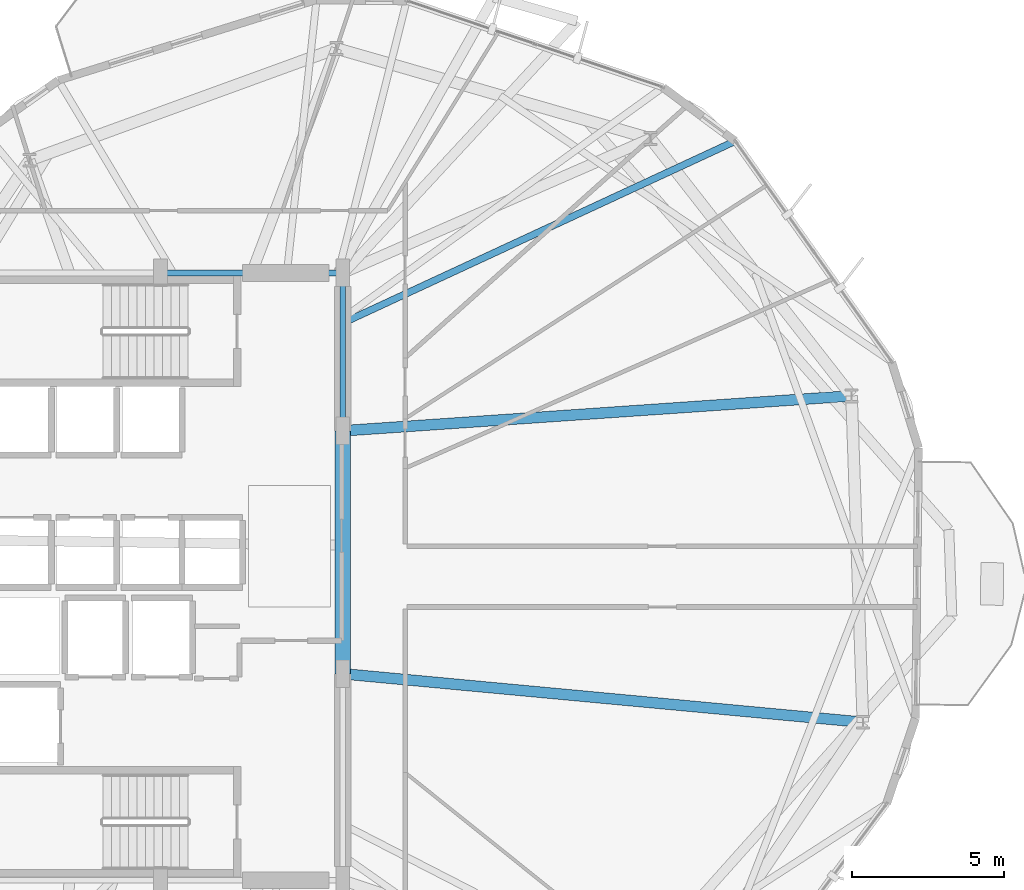
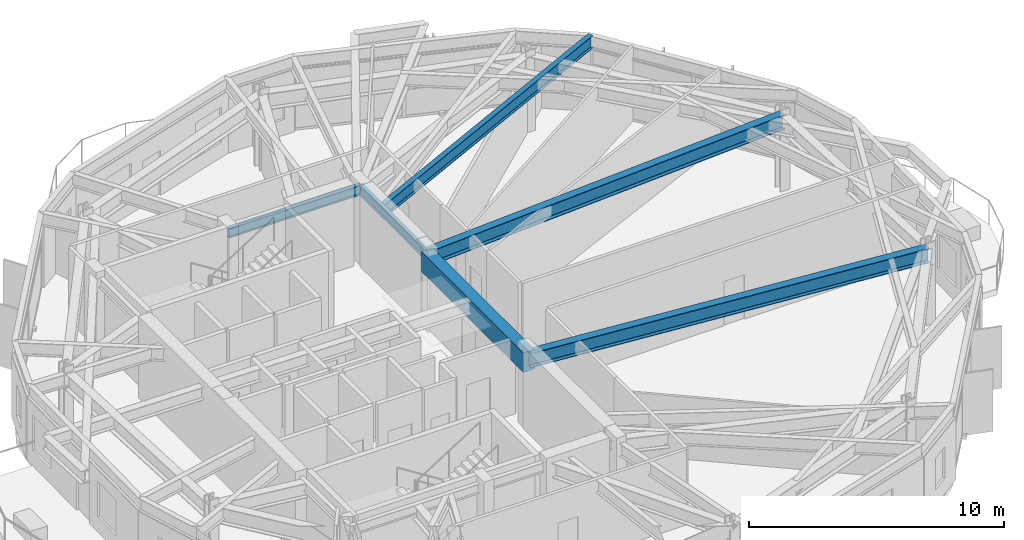
# One storey, part 10 of 27: 6 beams.
"""IFC4 building model written with IfcOpenShell, lengths in metres."""

import ifcopenshell
import ifcopenshell.guid

model = None  # the IFC model being written
_history = None  # IfcOwnerHistory: only IFC2X3 demands one
_inside = {}  # id of a spatial element -> (the spatial element, [elements in it])
_under = {}  # id of a project, library or spatial element -> (it, [spatial elements below it])
_declared = {}  # id of a project -> (the project, [libraries it declares])
_typed = {}  # id of a type object -> (the type object, [elements of that type])
_made_of = {}  # id of a material, layer set ... -> (it, [elements and type objects made of it])


def new_model(schema):
    """Start an empty IFC model of exactly this schema.

    Asked for "IFC4X3", IfcOpenShell would pick the latest addendum, in which some entities
    have other attributes; the version numbers below select the first issue.
    IFC2X3 requires an IfcOwnerHistory on every rooted entity: one is made here for all.
    """
    global model, _history
    if schema == "IFC4X3":
        model = ifcopenshell.file(schema_version=(4, 3, 0, 0))
    else:
        model = ifcopenshell.file(schema=schema)
    _inside.clear()
    _under.clear()
    _declared.clear()
    _typed.clear()
    _made_of.clear()
    _history = None
    if model.schema == "IFC2X3":
        org = make("IfcOrganization", Name="unknown")
        user = make(
            "IfcPersonAndOrganization",
            ThePerson=make("IfcPerson", FamilyName="unknown"),
            TheOrganization=org,
        )
        app = make(
            "IfcApplication",
            ApplicationDeveloper=org,
            Version="unknown",
            ApplicationFullName="unknown",
            ApplicationIdentifier="unknown",
        )
        _history = make(
            "IfcOwnerHistory",
            OwningUser=user,
            OwningApplication=app,
            ChangeAction="ADDED",
            CreationDate=0,
        )
    return model


def make(cls, **values):
    """One entity of the class cls with the attributes given. An attribute that is None is left unset."""
    return model.create_entity(
        cls, **{name: value for name, value in values.items() if value is not None}
    )


def rooted(cls, **values):
    """An entity with a GlobalId (a new one), such as an element, a storey or a relation."""
    return make(cls, GlobalId=ifcopenshell.guid.new(), OwnerHistory=_history, **values)


def si_unit(unit_type, name, prefix=None):
    """IfcSIUnit, for example si_unit("LENGTHUNIT", "METRE", prefix="MILLI")."""
    return make("IfcSIUnit", UnitType=unit_type, Prefix=prefix, Name=name)


def assignment(units):
    """IfcUnitAssignment: the units of a project."""
    return None if units is None else make("IfcUnitAssignment", Units=units)


def point(xyz):
    """IfcCartesianPoint."""
    return None if xyz is None else make("IfcCartesianPoint", Coordinates=xyz)


def direction(xyz):
    """IfcDirection."""
    return None if xyz is None else make("IfcDirection", DirectionRatios=xyz)


def frame(location, z_axis=None, x_axis=None):
    """IfcAxis2Placement3D, a coordinate frame: its origin and axes. An axis left out is left unset."""
    return make(
        "IfcAxis2Placement3D",
        Location=point(location),
        Axis=direction(z_axis),
        RefDirection=direction(x_axis),
    )


def frame_2d(location, x_axis=None):
    """IfcAxis2Placement2D, a coordinate frame in the plane: its origin and x axis."""
    return make(
        "IfcAxis2Placement2D", Location=point(location), RefDirection=direction(x_axis)
    )


def origin():
    """The frame at (0, 0, 0) with its axes left unset."""
    return frame((0.0, 0.0, 0.0))


def origin_2d():
    """The frame at (0, 0) in the plane with its x axis left unset."""
    return frame_2d((0.0, 0.0))


def place(relative_to, where):
    """IfcLocalPlacement: puts the frame where relative to a parent placement (None: the world)."""
    return make(
        "IfcLocalPlacement", PlacementRelTo=relative_to, RelativePlacement=where
    )


def context(
    kind, dimensions, precision=None, world=None, true_north=None, identifier=None
):
    """IfcGeometricRepresentationContext, for example the 3D "Model" context."""
    return make(
        "IfcGeometricRepresentationContext",
        ContextIdentifier=identifier,
        ContextType=kind,
        CoordinateSpaceDimension=dimensions,
        Precision=precision,
        WorldCoordinateSystem=world,
        TrueNorth=true_north,
    )


def subcontext(parent, identifier, kind, view, scale=None):
    """IfcGeometricRepresentationSubContext, for example "Body" below "Model"."""
    return make(
        "IfcGeometricRepresentationSubContext",
        ContextIdentifier=identifier,
        ContextType=kind,
        ParentContext=parent,
        TargetScale=scale,
        TargetView=view,
    )


def project(units=None, contexts=None):
    """IfcProject with its units and contexts."""
    return rooted(
        "IfcProject",
        Name="project",
        RepresentationContexts=contexts,
        UnitsInContext=assignment(units),
    )


def spatial(cls, under=None, at=None, **own):
    """A site, building, storey or space (cls), placed at a placement, below another one or the project."""
    s = rooted(cls, ObjectPlacement=at, **own)
    if under is not None:
        _under.setdefault(under.id(), (under, []))[1].append(s)
    return s


def profile(cls, at=None, kind="AREA", **sizes):
    """A parametric profile (cls). Its sizes go by their IFC names, for example OverallWidth=200.0."""
    return make(cls, ProfileType=kind, Position=at, **sizes)


def rectangle(**sizes):
    """IfcRectangleProfileDef."""
    return profile("IfcRectangleProfileDef", **sizes)


def i_section(**sizes):
    """IfcIShapeProfileDef."""
    return profile("IfcIShapeProfileDef", **sizes)


def extrude(swept, where, along, depth):
    """IfcExtrudedAreaSolid: the profile swept, set in the frame where, extruded along a direction by depth."""
    return make(
        "IfcExtrudedAreaSolid",
        SweptArea=swept,
        Position=where,
        ExtrudedDirection=direction(along),
        Depth=depth,
    )


def shape(context_of_items, identifier, shape_type, items):
    """IfcShapeRepresentation: the items that make up one representation, for example the "Body"."""
    return make(
        "IfcShapeRepresentation",
        ContextOfItems=context_of_items,
        RepresentationIdentifier=identifier,
        RepresentationType=shape_type,
        Items=items,
    )


def material(Name=None, Category=None):
    """IfcMaterial."""
    return make("IfcMaterial", Name=Name, Category=Category)


def material_profile(
    of_material, cross_section, Name=None, Category=None, Priority=None
):
    """IfcMaterialProfile: a cross section and its material."""
    return make(
        "IfcMaterialProfile",
        Name=Name,
        Material=of_material,
        Profile=cross_section,
        Priority=Priority,
        Category=Category,
    )


def profile_set(profiles, Name=None, composite=None):
    """IfcMaterialProfileSet."""
    return make(
        "IfcMaterialProfileSet",
        Name=Name,
        MaterialProfiles=profiles,
        CompositeProfile=composite,
    )


def made_of(thing, what):
    """Note that an element or type object is made of a material, layer set ...; save() writes the relation."""
    if what is not None:
        _made_of.setdefault(what.id(), (what, []))[1].append(thing)
    return thing


def type_object(cls, material=None, **own):
    """A type object (cls), such as IfcWallType, which elements share."""
    return made_of(rooted(cls, **own), material)


def element(
    cls,
    number,
    at=None,
    inside=None,
    cuts=None,
    type_object=None,
    material=None,
    context=None,
    identifier="Body",
    shape_type=None,
    held_by="IfcProductDefinitionShape",
    body=None,
    shapes=None,
    **own,
):
    """One element of the class cls, such as IfcWall. Its Tag is "e" and its number.

    at: its placement. inside: the storey or other place that contains it. cuts: it is an
    opening in that element (IfcRelVoidsElement). A single representation is given by context,
    identifier, shape_type and body (its items); several are given by shapes. held_by: the class
    of the entity that holds the representations. save() writes the other relations.
    """
    e = rooted(cls, Tag="e%d" % number, ObjectPlacement=at, **own)
    if body is not None:
        shapes = [shape(context, identifier, shape_type, body)]
    if shapes is not None:
        e.Representation = make(held_by, Representations=shapes)
    if inside is not None:
        _inside.setdefault(inside.id(), (inside, []))[1].append(e)
    if cuts is not None:
        rooted(
            "IfcRelVoidsElement", RelatingBuildingElement=cuts, RelatedOpeningElement=e
        )
    if type_object is not None:
        _typed.setdefault(type_object.id(), (type_object, []))[1].append(e)
    return made_of(e, material)


def aggregate(whole, parts):
    """IfcRelAggregates: a whole, such as a stair, and the parts it consists of."""
    return rooted("IfcRelAggregates", RelatingObject=whole, RelatedObjects=parts)


def save(model, path):
    """Write the relations noted so far, then the file.

    IfcRelAggregates (storeys below a building ...), IfcRelContainedInSpatialStructure (elements
    in a storey), IfcRelDefinesByType, IfcRelAssociatesMaterial and IfcRelDeclares: one each for
    every whole, place, type object, material and project.
    """
    for whole, parts in _under.values():
        aggregate(whole, parts)
    for where, things in _inside.values():
        rooted(
            "IfcRelContainedInSpatialStructure",
            RelatedElements=things,
            RelatingStructure=where,
        )
    for kind, things in _typed.values():
        rooted("IfcRelDefinesByType", RelatedObjects=things, RelatingType=kind)
    for what, things in _made_of.values():
        rooted("IfcRelAssociatesMaterial", RelatedObjects=things, RelatingMaterial=what)
    for by, libraries in _declared.values():
        rooted("IfcRelDeclares", RelatingContext=by, RelatedDefinitions=libraries)
    model.write(path)


model = new_model("IFC4")

# Units and contexts
model_context = context("Model", 3, precision=1e-05, world=origin(), true_north=direction((0.0, 1.0)))
body_context = subcontext(model_context, "Body", "Model", "MODEL_VIEW")
ifc_project = project(units=[si_unit("LENGTHUNIT", "METRE"), si_unit("AREAUNIT", "SQUARE_METRE"), si_unit("VOLUMEUNIT", "CUBIC_METRE"), si_unit("PLANEANGLEUNIT", "RADIAN"), si_unit("MASSUNIT", "GRAM", prefix="KILO")], contexts=[model_context])

# Site, building, storey
site_placement = place(None, origin())
site = spatial("IfcSite", under=ifc_project, at=site_placement, CompositionType="ELEMENT")
building_placement = place(site_placement, origin())
building = spatial("IfcBuilding", under=site, at=building_placement, Name="Soratama Intermodal Tower", CompositionType="ELEMENT")
storey_placement = place(building_placement, frame((0.0, 0.0, 95.199951171875)))
storey = spatial("IfcBuildingStorey", under=building, at=storey_placement, Name="L22", CompositionType="ELEMENT", Elevation=95.199951171875)

# Beams
ifc_material_1 = material(Name="Concrete f'c 56 MPa", Category="concrete")
ifc_material_profile_1 = material_profile(ifc_material_1, rectangle(XDim=0.5, YDim=0.949951171875, at=origin_2d()), Name="RC500X950")
ifc_profile_set_1 = profile_set([ifc_material_profile_1], Name="Concrete f'c 56 MPa")
beam_type_1 = type_object("IfcBeamType", Name="BM-CPL-RC500X950", PredefinedType="BEAM", material=ifc_profile_set_1)
beam_1_placement = place(storey_placement, frame((44.60009765625, 21.800048828125, 3.125), z_axis=(0.0, 1.0, 0.0), x_axis=(-1.0, 0.0, 0.0)))
element("IfcBeam", 1, at=beam_1_placement, inside=storey, type_object=beam_type_1, Name="L22 Core Coupling Beam East", PredefinedType="BEAM", context=body_context, shape_type="SweptSolid", body=[
    extrude(rectangle(XDim=0.5, YDim=0.949951171875, at=origin_2d()), origin(), (0.0, 0.0, 1.0), 8.0),
])
ifc_material_2 = material(Name="Structural steel ASTM A992 Grade 50", Category="steel")
ifc_material_profile_2 = material_profile(ifc_material_2, i_section(OverallWidth=0.19091796875, OverallDepth=0.4599609375, WebThickness=0.010009765625, FlangeThickness=0.01611328125, FilletRadius=0.010986328125, at=origin_2d()), Name="W18X55")
ifc_profile_set_2 = profile_set([ifc_material_profile_2], Name="Structural steel ASTM A992 Grade 50")
beam_type_2 = type_object("IfcBeamType", Name="BM-FLR-W18X55", PredefinedType="BEAM", material=ifc_profile_set_2)
beam_2_placement = place(storey_placement, frame((44.60009765625, 29.800048828125, 3.3701171875), z_axis=(0.0, 1.0, 0.0), x_axis=(-1.0, 0.0, 0.0)))
element("IfcBeam", 2, at=beam_2_placement, inside=storey, type_object=beam_type_2, Name="BM-L22-CRING-05", PredefinedType="BEAM", context=body_context, shape_type="SweptSolid", body=[
    extrude(i_section(OverallWidth=0.19091796875, OverallDepth=0.4599609375, WebThickness=0.010009765625, FlangeThickness=0.01611328125, FilletRadius=0.010986328125, at=origin_2d()), origin(), (0.0, 0.0, 1.0), 5.199951171875),
])
beam_3_placement = place(storey_placement, frame((44.60009765625, 35.0, 3.3701171875), z_axis=(-1.0, 0.0, 0.0), x_axis=(0.0, -1.0, 0.0)))
element("IfcBeam", 3, at=beam_3_placement, inside=storey, type_object=beam_type_2, Name="BM-L22-CRING-06", PredefinedType="BEAM", context=body_context, shape_type="SweptSolid", body=[
    extrude(i_section(OverallWidth=0.19091796875, OverallDepth=0.4599609375, WebThickness=0.010009765625, FlangeThickness=0.01611328125, FilletRadius=0.010986328125, at=origin_2d()), origin(), (0.0, 0.0, 1.0), 6.0),
])
ifc_material_3 = material(Name="Structural steel ASTM A992 Grade 50", Category="steel")
ifc_material_profile_3 = material_profile(ifc_material_3, i_section(OverallWidth=0.35498046875, OverallDepth=0.695068359375, WebThickness=0.015380859375, FlangeThickness=0.02490234375, FilletRadius=0.01611328125, at=origin_2d()), Name="W27X146")
ifc_profile_set_3 = profile_set([ifc_material_profile_3], Name="Structural steel ASTM A992 Grade 50")
beam_type_3 = type_object("IfcBeamType", Name="BM-RING-W27X146", PredefinedType="BEAM", material=ifc_profile_set_3)
beam_4_placement = place(storey_placement, frame((44.60009765625, 29.800048828125, 3.25244140625), z_axis=(0.99764812202, 0.06854359656, 0.0), x_axis=(-0.06854359656, 0.99764812202, 0.0)))
element("IfcBeam", 4, at=beam_4_placement, inside=storey, type_object=beam_type_3, Name="BM-L22-RAD-01", PredefinedType="BEAM", context=body_context, shape_type="SweptSolid", body=[
    extrude(i_section(OverallWidth=0.35498046875, OverallDepth=0.695068359375, WebThickness=0.015380859375, FlangeThickness=0.02490234375, FilletRadius=0.01611328125, at=origin_2d()), origin(), (0.0, 0.0, 1.0), 16.79052734375),
])
beam_5_placement = place(storey_placement, frame((44.60009765625, 21.800048828125, 3.25244140625), z_axis=(0.995686011515, -0.092786671855, 0.0), x_axis=(0.092786671855, 0.995686011515, 0.0)))
element("IfcBeam", 5, at=beam_5_placement, inside=storey, type_object=beam_type_3, Name="BM-L22-RAD-10", PredefinedType="BEAM", context=body_context, shape_type="SweptSolid", body=[
    extrude(i_section(OverallWidth=0.35498046875, OverallDepth=0.695068359375, WebThickness=0.015380859375, FlangeThickness=0.02490234375, FilletRadius=0.01611328125, at=origin_2d()), origin(), (0.0, 0.0, 1.0), 17.2001953125),
])
ifc_material_4 = material(Name="Structural steel ASTM A992 Grade 50", Category="steel")
ifc_material_profile_4 = material_profile(ifc_material_4, i_section(OverallWidth=0.22900390625, OverallDepth=0.612060546875, WebThickness=0.011962890625, FlangeThickness=0.01953125, FilletRadius=0.012939453125, at=origin_2d()), Name="W24X84")
ifc_profile_set_4 = profile_set([ifc_material_profile_4], Name="Structural steel ASTM A992 Grade 50")
beam_type_4 = type_object("IfcBeamType", Name="BM-TIE-W24X84", PredefinedType="BEAM", material=ifc_profile_set_4)
beam_6_placement = place(storey_placement, frame((44.635986328125, 33.365966796875, 3.2939453125), z_axis=(0.9072416624, 0.420609755005, 0.0), x_axis=(-0.420609755005, 0.9072416624, 0.0)))
element("IfcBeam", 6, at=beam_6_placement, inside=storey, type_object=beam_type_4, Name="BM-L22-TIE1-01", PredefinedType="BEAM", context=body_context, shape_type="SweptSolid", body=[
    extrude(i_section(OverallWidth=0.22900390625, OverallDepth=0.612060546875, WebThickness=0.011962890625, FlangeThickness=0.01953125, FilletRadius=0.012939453125, at=origin_2d()), origin(), (0.0, 0.0, 1.0), 14.203369140625),
])

save(model, "model.ifc")
